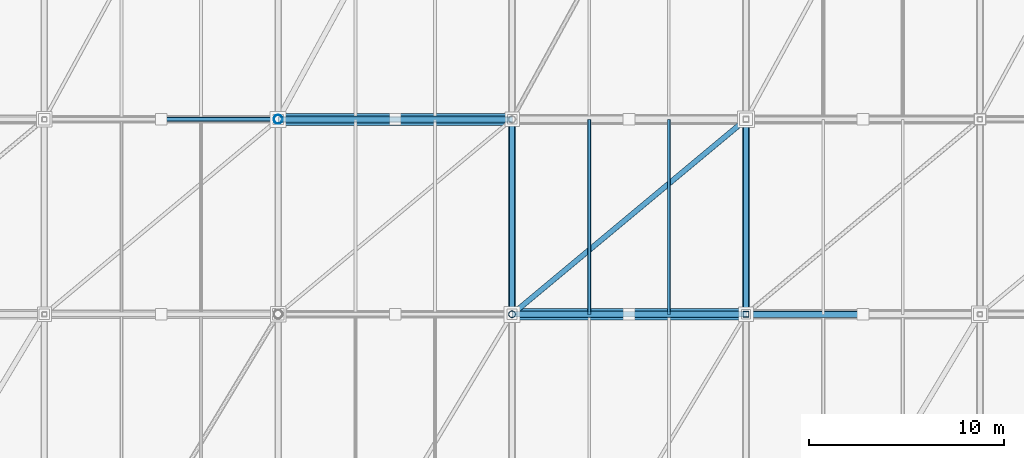
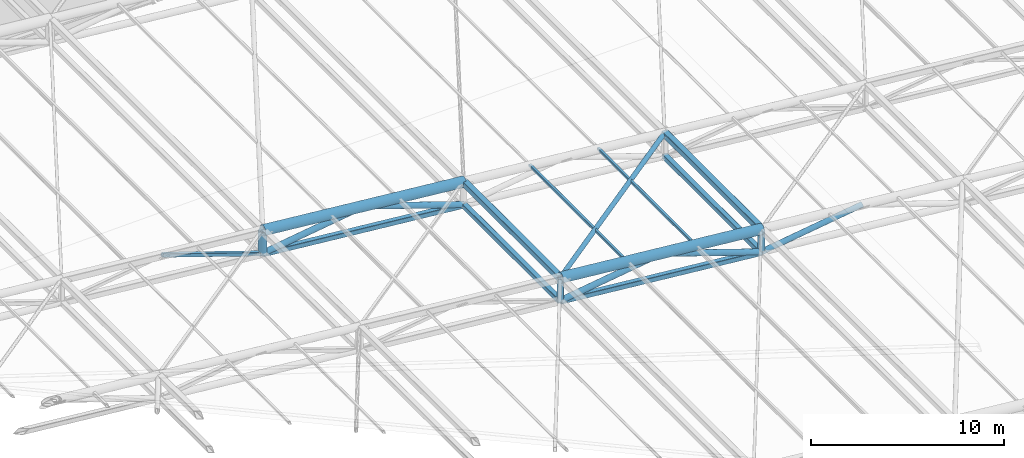
# One storey, part 28 of 44: 20 members.
"""IFC4 building model written with IfcOpenShell, lengths in metres."""

from ifc_helpers import new_model, si_unit, direction, frame, origin, origin_2d, place, context, subcontext, project, spatial, hollow_rectangle, hollow_circle, extrude, material, material_profile, profile_set, type_object, element, save


model = new_model("IFC4")

# Units and contexts
model_context = context("Model", 3, precision=1e-05, world=origin(), true_north=direction((0.0, 1.0)))
body_context = subcontext(model_context, "Body", "Model", "MODEL_VIEW")
ifc_project = project(units=[si_unit("LENGTHUNIT", "METRE"), si_unit("AREAUNIT", "SQUARE_METRE"), si_unit("VOLUMEUNIT", "CUBIC_METRE"), si_unit("PLANEANGLEUNIT", "RADIAN"), si_unit("MASSUNIT", "GRAM", prefix="KILO")], contexts=[model_context])

# Site, building, storey
site_placement = place(None, origin())
site = spatial("IfcSite", under=ifc_project, at=site_placement, CompositionType="ELEMENT")
building_placement = place(site_placement, origin())
building = spatial("IfcBuilding", under=site, at=building_placement, Name="Brinegate Civic Arena", CompositionType="ELEMENT")
storey_placement = place(building_placement, frame((0.0, 0.0, 29.39990234375)))
storey = spatial("IfcBuildingStorey", under=building, at=storey_placement, Name="RF", CompositionType="ELEMENT", Elevation=29.39990234375)

# Members
ifc_material = material(Name="Steel S355", Category="steel")
ifc_material_profile_1 = material_profile(ifc_material, hollow_rectangle(XDim=0.159912109375, YDim=0.159912109375, WallThickness=0.008056640625, InnerFilletRadius=0.008056640625, OuterFilletRadius=0.01611328125, at=origin_2d()), Name="SHS160X8")
ifc_profile_set_1 = profile_set([ifc_material_profile_1], Name="Steel S355")
member_type_1 = type_object("IfcMemberType", Name="RF-PURLIN-SHS160", PredefinedType="PURLIN", material=ifc_profile_set_1)
for number, where, z_axis, x_axis, name in (
    (1, (99.9599609375, 72.0, 6.839111328125), (0.0, 1.0, 0.0), (-1.0, 0.0, 0.0), "Roof Purlin RFP-081"),
    (2, (104.0400390625, 72.0, 6.4560546875), (0.0, 1.0, 0.0), (-1.0, 0.0, 0.0), "Roof Purlin RFP-082"),
):
    element("IfcMember", number, at=place(storey_placement, frame(where, z_axis=z_axis, x_axis=x_axis)), inside=storey, type_object=member_type_1, Name=name, PredefinedType="PURLIN", context=body_context, shape_type="SweptSolid", body=[
        extrude(hollow_rectangle(XDim=0.159912109375, YDim=0.159912109375, WallThickness=0.008056640625, InnerFilletRadius=0.008056640625, OuterFilletRadius=0.01611328125, at=origin_2d()), origin(), (0.0, 0.0, 1.0), 10.0),
    ])
ifc_material_profile_2 = material_profile(ifc_material, hollow_circle(Radius=0.136474609375, WallThickness=0.011962890625, at=origin_2d()), Name="CHS273X12")
ifc_profile_set_2 = profile_set([ifc_material_profile_2], Name="Steel S355")
member_type_2 = type_object("IfcMemberType", Name="SF-BRACE-CHS273", PredefinedType="BRACE", material=ifc_profile_set_2)
member_1_placement = place(storey_placement, frame((96.0, 72.0, 7.175048828125), z_axis=(0.766236619907, 0.638530516589, -0.071834683116), x_axis=(-0.640184399664, 0.768221279597, 0.0)))
element("IfcMember", 3, at=member_1_placement, inside=storey, type_object=member_type_2, Name="Roof Plan Diagonal Brace PL-5-5", PredefinedType="BRACE", context=body_context, shape_type="SweptSolid", body=[
    extrude(hollow_circle(Radius=0.136474609375, WallThickness=0.011962890625, at=origin_2d()), origin(), (0.0, 0.0, 1.0), 15.660888671875),
])
ifc_material_profile_3 = material_profile(ifc_material, hollow_circle(Radius=0.162109375, WallThickness=0.011962890625, at=origin_2d()), Name="CHS324X12")
ifc_profile_set_3 = profile_set([ifc_material_profile_3], Name="Steel S355")
member_type_3 = type_object("IfcMemberType", Name="SF-BRACE-CHS324", PredefinedType="BRACE", material=ifc_profile_set_3)
member_2_placement = place(storey_placement, frame((108.0, 72.0, 4.60009765625), z_axis=(0.989226142737, 0.0, 0.1463954867), x_axis=(0.0, 1.0, 0.0)))
element("IfcMember", 4, at=member_2_placement, inside=storey, type_object=member_type_3, Name="Space Frame Web Brace D1-5-6", PredefinedType="BRACE", context=body_context, shape_type="SweptSolid", body=[
    extrude(hollow_circle(Radius=0.162109375, WallThickness=0.011962890625, at=origin_2d()), origin(), (0.0, 0.0, 1.0), 6.0654296875),
])
ifc_material_profile_4 = material_profile(ifc_material, hollow_circle(Radius=0.177978515625, WallThickness=0.013916015625, at=origin_2d()), Name="CHS356X14")
ifc_profile_set_4 = profile_set([ifc_material_profile_4], Name="Steel S355")
member_type_4 = type_object("IfcMemberType", Name="SF-BRACE-CHS356", PredefinedType="BRACE", material=ifc_profile_set_4)
member_3_placement = place(storey_placement, frame((96.0, 72.0, 5.72509765625), z_axis=(0.989226142737, 0.0, 0.1463954867), x_axis=(0.0, 1.0, 0.0)))
element("IfcMember", 5, at=member_3_placement, inside=storey, type_object=member_type_4, Name="Space Frame Web Brace D1-5-5", PredefinedType="BRACE", context=body_context, shape_type="SweptSolid", body=[
    extrude(hollow_circle(Radius=0.177978515625, WallThickness=0.013916015625, at=origin_2d()), origin(), (0.0, 0.0, 1.0), 6.0654296875),
])
member_4_placement = place(storey_placement, frame((102.0, 72.0, 6.613037109375), z_axis=(0.948068139281, 0.0, -0.318067293635), x_axis=(0.0, 1.0, 0.0)))
element("IfcMember", 6, at=member_4_placement, inside=storey, type_object=member_type_4, Name="Space Frame Web Brace D2-5-5", PredefinedType="BRACE", context=body_context, shape_type="SweptSolid", body=[
    extrude(hollow_circle(Radius=0.177978515625, WallThickness=0.013916015625, at=origin_2d()), origin(), (0.0, 0.0, 1.0), 6.32861328125),
])
member_5_placement = place(storey_placement, frame((84.0, 82.0, 6.85009765625), z_axis=(0.989226142737, 0.0, 0.1463954867), x_axis=(0.0, 1.0, 0.0)))
element("IfcMember", 7, at=member_5_placement, inside=storey, type_object=member_type_4, Name="Space Frame Web Brace D1-6-4", PredefinedType="BRACE", context=body_context, shape_type="SweptSolid", body=[
    extrude(hollow_circle(Radius=0.177978515625, WallThickness=0.013916015625, at=origin_2d()), origin(), (0.0, 0.0, 1.0), 6.0654296875),
])
member_6_placement = place(storey_placement, frame((90.0, 82.0, 7.738037109375), z_axis=(0.948068139281, 0.0, -0.318067293635), x_axis=(0.0, 1.0, 0.0)))
element("IfcMember", 8, at=member_6_placement, inside=storey, type_object=member_type_4, Name="Space Frame Web Brace D2-6-4", PredefinedType="BRACE", context=body_context, shape_type="SweptSolid", body=[
    extrude(hollow_circle(Radius=0.177978515625, WallThickness=0.013916015625, at=origin_2d()), origin(), (0.0, 0.0, 1.0), 6.32861328125),
])
ifc_material_profile_5 = material_profile(ifc_material, hollow_rectangle(XDim=0.219970703125, YDim=0.219970703125, WallThickness=0.011962890625, InnerFilletRadius=0.011962890625, OuterFilletRadius=0.02392578125, at=origin_2d()), Name="SHS220X12")
ifc_profile_set_5 = profile_set([ifc_material_profile_5], Name="Steel S355")
member_type_5 = type_object("IfcMemberType", Name="SF-BRACE-SHS220", PredefinedType="BRACE", material=ifc_profile_set_5)
member_7_placement = place(storey_placement, frame((78.0, 82.0, 8.863037109375), z_axis=(0.948068139281, 0.0, -0.318067293635), x_axis=(0.0, 1.0, 0.0)))
element("IfcMember", 9, at=member_7_placement, inside=storey, type_object=member_type_5, Name="Space Frame Web Brace D2-6-3", PredefinedType="BRACE", context=body_context, shape_type="SweptSolid", body=[
    extrude(hollow_rectangle(XDim=0.219970703125, YDim=0.219970703125, WallThickness=0.011962890625, InnerFilletRadius=0.011962890625, OuterFilletRadius=0.02392578125, at=origin_2d()), origin(), (0.0, 0.0, 1.0), 6.32861328125),
])
ifc_material_profile_6 = material_profile(ifc_material, hollow_circle(Radius=0.304931640625, WallThickness=0.02490234375, at=origin_2d()), Name="CHS610X25")
ifc_profile_set_6 = profile_set([ifc_material_profile_6], Name="Steel S355")
member_type_6 = type_object("IfcMemberType", Name="SF-CHORD-CHS610", PredefinedType="CHORD", material=ifc_profile_set_6)
for number, where, z_axis, x_axis, name in (
    (10, (96.0, 72.0, 7.175048828125), (0.995634226059, 0.0, -0.093340708693), (0.0, 1.0, 0.0), "Space Frame Top Chord TX-5-5"),
    (11, (84.0, 82.0, 8.300048828125), (0.995634226059, 0.0, -0.093340708693), (0.0, 1.0, 0.0), "Space Frame Top Chord TX-6-4"),
):
    element("IfcMember", number, at=place(storey_placement, frame(where, z_axis=z_axis, x_axis=x_axis)), inside=storey, type_object=member_type_6, Name=name, PredefinedType="CHORD", context=body_context, shape_type="SweptSolid", body=[
        extrude(hollow_circle(Radius=0.304931640625, WallThickness=0.02490234375, at=origin_2d()), origin(), (0.0, 0.0, 1.0), 12.052734375),
    ])
ifc_material_profile_7 = material_profile(ifc_material, hollow_rectangle(XDim=0.300048828125, YDim=0.300048828125, WallThickness=0.01611328125, InnerFilletRadius=0.01611328125, OuterFilletRadius=0.031982421875, at=origin_2d()), Name="SHS300X16")
ifc_profile_set_7 = profile_set([ifc_material_profile_7], Name="Steel S355")
member_type_7 = type_object("IfcMemberType", Name="SF-CHORD-SHS300", PredefinedType="CHORD", material=ifc_profile_set_7)
for number, where, z_axis, x_axis, name in (
    (12, (96.0, 72.0, 5.72509765625), (0.995634226059, 0.0, -0.093340708693), (0.0, 1.0, 0.0), "Space Frame Bottom Chord BX-5-5"),
    (13, (84.0, 82.0, 6.85009765625), (0.995634226059, 0.0, -0.093340708693), (0.0, 1.0, 0.0), "Space Frame Bottom Chord BX-6-4"),
):
    element("IfcMember", number, at=place(storey_placement, frame(where, z_axis=z_axis, x_axis=x_axis)), inside=storey, type_object=member_type_7, Name=name, PredefinedType="CHORD", context=body_context, shape_type="SweptSolid", body=[
        extrude(hollow_rectangle(XDim=0.300048828125, YDim=0.300048828125, WallThickness=0.01611328125, InnerFilletRadius=0.01611328125, OuterFilletRadius=0.031982421875, at=origin_2d()), origin(), (0.0, 0.0, 1.0), 12.052734375),
    ])
for number, where, z_axis, x_axis, name in (
    (14, (96.0, 72.0, 5.72509765625), (0.0, 1.0, 0.0), (-1.0, 0.0, 0.0), "Space Frame Cross Bottom Chord BY-5-5"),
    (15, (108.0, 72.0, 4.60009765625), (0.0, 1.0, 0.0), (-1.0, 0.0, 0.0), "Space Frame Cross Bottom Chord BY-5-6"),
):
    element("IfcMember", number, at=place(storey_placement, frame(where, z_axis=z_axis, x_axis=x_axis)), inside=storey, type_object=member_type_7, Name=name, PredefinedType="CHORD", context=body_context, shape_type="SweptSolid", body=[
        extrude(hollow_rectangle(XDim=0.300048828125, YDim=0.300048828125, WallThickness=0.01611328125, InnerFilletRadius=0.01611328125, OuterFilletRadius=0.031982421875, at=origin_2d()), origin(), (0.0, 0.0, 1.0), 10.0),
    ])
ifc_material_profile_8 = material_profile(ifc_material, hollow_rectangle(XDim=0.35009765625, YDim=0.35009765625, WallThickness=0.01611328125, InnerFilletRadius=0.01611328125, OuterFilletRadius=0.031982421875, at=origin_2d()), Name="SHS350X16")
ifc_profile_set_8 = profile_set([ifc_material_profile_8], Name="Steel S355")
member_type_8 = type_object("IfcMemberType", Name="SF-CHORD-SHS350", PredefinedType="CHORD", material=ifc_profile_set_8)
for number, where, z_axis, x_axis, name in (
    (16, (96.0, 72.0, 7.175048828125), (0.0, 1.0, 0.0), (-1.0, 0.0, 0.0), "Space Frame Cross Top Chord TY-5-5"),
    (17, (108.0, 72.0, 6.050048828125), (0.0, 1.0, 0.0), (-1.0, 0.0, 0.0), "Space Frame Cross Top Chord TY-5-6"),
):
    element("IfcMember", number, at=place(storey_placement, frame(where, z_axis=z_axis, x_axis=x_axis)), inside=storey, type_object=member_type_8, Name=name, PredefinedType="CHORD", context=body_context, shape_type="SweptSolid", body=[
        extrude(hollow_rectangle(XDim=0.35009765625, YDim=0.35009765625, WallThickness=0.01611328125, InnerFilletRadius=0.01611328125, OuterFilletRadius=0.031982421875, at=origin_2d()), origin(), (0.0, 0.0, 1.0), 10.0),
    ])
ifc_material_profile_9 = material_profile(ifc_material, hollow_circle(Radius=0.177978515625, WallThickness=0.013916015625, at=origin_2d()), Name="CHS356X14")
ifc_profile_set_9 = profile_set([ifc_material_profile_9], Name="Steel S355")
member_type_9 = type_object("IfcMemberType", Name="SF-STRUT-CHS356", PredefinedType="STRUT", material=ifc_profile_set_9)
member_8_placement = place(storey_placement, frame((96.0, 72.0, 5.72509765625), z_axis=(0.0, 0.0, 1.0), x_axis=(1.0, 0.0, 0.0)))
element("IfcMember", 18, at=member_8_placement, inside=storey, type_object=member_type_9, Name="Space Frame Vertical Post V-5-5", PredefinedType="STRUT", context=body_context, shape_type="SweptSolid", body=[
    extrude(hollow_circle(Radius=0.177978515625, WallThickness=0.013916015625, at=origin_2d()), origin(), (0.0, 0.0, 1.0), 1.449951171875),
])
ifc_material_profile_10 = material_profile(ifc_material, hollow_circle(Radius=0.228515625, WallThickness=0.01611328125, at=origin_2d()), Name="CHS457X16")
ifc_profile_set_10 = profile_set([ifc_material_profile_10], Name="Steel S355")
member_type_10 = type_object("IfcMemberType", Name="SF-STRUT-CHS457", PredefinedType="STRUT", material=ifc_profile_set_10)
member_9_placement = place(storey_placement, frame((84.0, 82.0, 6.85009765625), z_axis=(0.0, 0.0, 1.0), x_axis=(1.0, 0.0, 0.0)))
element("IfcMember", 19, at=member_9_placement, inside=storey, type_object=member_type_10, Name="Space Frame Vertical Post V-6-4", PredefinedType="STRUT", context=body_context, shape_type="SweptSolid", body=[
    extrude(hollow_circle(Radius=0.228515625, WallThickness=0.01611328125, at=origin_2d()), origin(), (0.0, 0.0, 1.0), 1.449951171875),
])
ifc_material_profile_11 = material_profile(ifc_material, hollow_rectangle(XDim=0.300048828125, YDim=0.300048828125, WallThickness=0.01611328125, InnerFilletRadius=0.01611328125, OuterFilletRadius=0.031982421875, at=origin_2d()), Name="SHS300X16")
ifc_profile_set_11 = profile_set([ifc_material_profile_11], Name="Steel S355")
member_type_11 = type_object("IfcMemberType", Name="SF-STRUT-SHS300", PredefinedType="STRUT", material=ifc_profile_set_11)
member_10_placement = place(storey_placement, frame((108.0, 72.0, 4.60009765625), z_axis=(0.0, 0.0, 1.0), x_axis=(1.0, 0.0, 0.0)))
element("IfcMember", 20, at=member_10_placement, inside=storey, type_object=member_type_11, Name="Space Frame Vertical Post V-5-6", PredefinedType="STRUT", context=body_context, shape_type="SweptSolid", body=[
    extrude(hollow_rectangle(XDim=0.300048828125, YDim=0.300048828125, WallThickness=0.01611328125, InnerFilletRadius=0.01611328125, OuterFilletRadius=0.031982421875, at=origin_2d()), origin(), (0.0, 0.0, 1.0), 1.449951171875),
])

save(model, "model.ifc")
